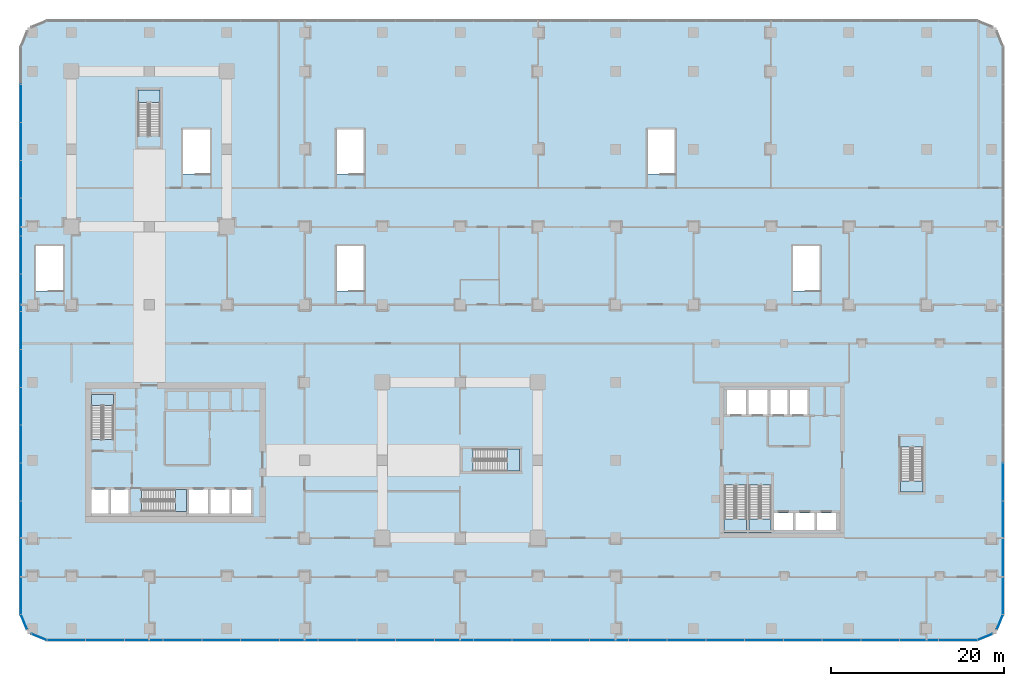
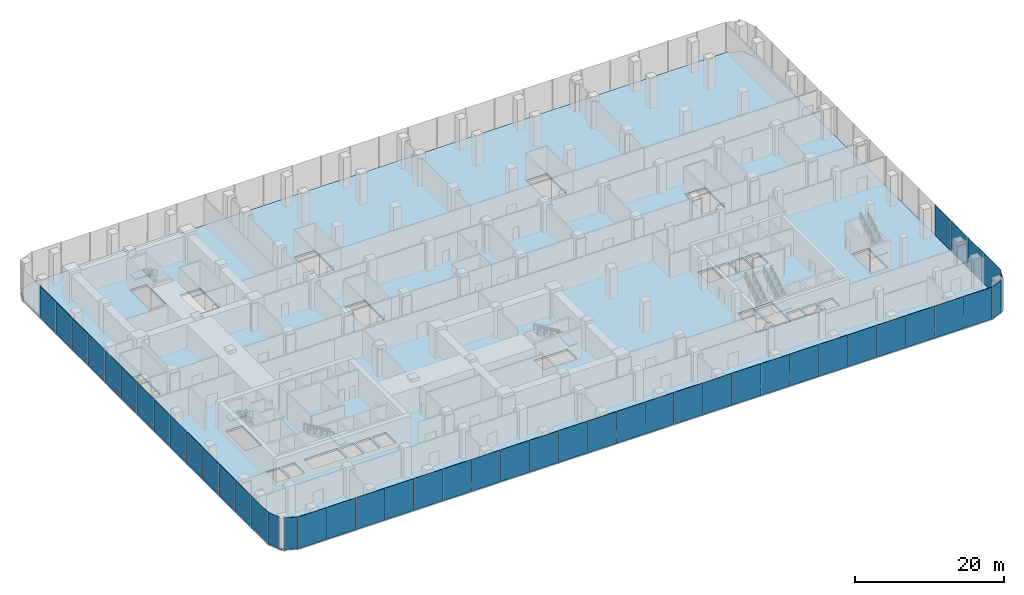
# One storey, part 21 of 36: 46 plates, 8 slabs, 14 elements without a shape of their own.
"""IFC4 building model written with IfcOpenShell, lengths in metres."""

from ifc_helpers import new_model, si_unit, direction, frame, origin, origin_2d, place, context, subcontext, project, spatial, polyline, rectangle, outline, extrude, material, layer, layer_set, type_object, element, aggregate, save


model = new_model("IFC4")

# Units and contexts
model_context = context("Model", 3, precision=1e-05, world=origin(), true_north=direction((0.0, 1.0)))
body_context = subcontext(model_context, "Body", "Model", "MODEL_VIEW")
ifc_project = project(units=[si_unit("LENGTHUNIT", "METRE"), si_unit("AREAUNIT", "SQUARE_METRE"), si_unit("VOLUMEUNIT", "CUBIC_METRE"), si_unit("PLANEANGLEUNIT", "RADIAN"), si_unit("MASSUNIT", "GRAM", prefix="KILO")], contexts=[model_context])

# Site, building, storey
site_placement = place(None, origin())
site = spatial("IfcSite", under=ifc_project, at=site_placement, CompositionType="ELEMENT")
building_placement = place(site_placement, origin())
building = spatial("IfcBuilding", under=site, at=building_placement, Name="Plateau Cross Towers", CompositionType="ELEMENT")
storey_placement = place(building_placement, frame((0.0, 0.0, 21.800048828125)))
storey = spatial("IfcBuildingStorey", under=building, at=storey_placement, Name="L04", CompositionType="ELEMENT", Elevation=21.800048828125)

# Curtain wall, plates
ifc_material_1 = material(Name="Dark low-iron laminated glass", Category="glass")
ifc_layer_1 = layer(ifc_material_1, 0.300048828125)
ifc_layer_set_1 = layer_set([ifc_layer_1], Name="Dark low-iron laminated glass")
curtain_wall_type = type_object("IfcCurtainWallType", Name="Curtain wall structural silicone CW-C", PredefinedType="NOTDEFINED", material=ifc_layer_set_1)
curtain_wall_1_placement = place(storey_placement, origin())
curtain_wall_1 = element("IfcCurtainWall", 1, at=curtain_wall_1_placement, inside=storey, type_object=curtain_wall_type, Name="ENV/P/L04/P-28_-118", PredefinedType="NOTDEFINED")
ifc_layer_2 = layer(ifc_material_1, 0.0439453125)
ifc_layer_set_2 = layer_set([ifc_layer_2], Name="Dark low-iron laminated glass")
plate_type = type_object("IfcPlateType", Name="Glass panel 44 structural silicone", PredefinedType="CURTAIN_PANEL", material=ifc_layer_set_2)
plate_1_placement = place(storey_placement, frame((-0.606201171875, -11.85009765625, -0.2001953125), z_axis=(0.0, 0.0, 1.0), x_axis=(1.0, 0.0, 0.0)))
plate_1 = element("IfcPlate", 2, at=plate_1_placement, type_object=plate_type, Name="CW-C panel 1", PredefinedType="CURTAIN_PANEL", context=body_context, shape_type="SweptSolid", body=[
    extrude(rectangle(XDim=4.4375, YDim=0.0439453125, at=origin_2d()), origin(), (0.0, 0.0, 1.0), 5.199951171875),
])
plate_2_placement = place(storey_placement, frame((3.88134765625, -11.85009765625, -0.2001953125), z_axis=(0.0, 0.0, 1.0), x_axis=(1.0, 0.0, 0.0)))
plate_2 = element("IfcPlate", 3, at=plate_2_placement, type_object=plate_type, Name="CW-C panel 2", PredefinedType="CURTAIN_PANEL", context=body_context, shape_type="SweptSolid", body=[
    extrude(rectangle(XDim=4.4375, YDim=0.0439453125, at=origin_2d()), origin(), (0.0, 0.0, 1.0), 5.199951171875),
])
plate_3_placement = place(storey_placement, frame((8.36865234375, -11.85009765625, -0.2001953125), z_axis=(0.0, 0.0, 1.0), x_axis=(1.0, 0.0, 0.0)))
plate_3 = element("IfcPlate", 4, at=plate_3_placement, type_object=plate_type, Name="CW-C panel 3", PredefinedType="CURTAIN_PANEL", context=body_context, shape_type="SweptSolid", body=[
    extrude(rectangle(XDim=4.4375, YDim=0.0439453125, at=origin_2d()), origin(), (0.0, 0.0, 1.0), 5.199951171875),
])
plate_4_placement = place(storey_placement, frame((12.856201171875, -11.85009765625, -0.2001953125), z_axis=(0.0, 0.0, 1.0), x_axis=(1.0, 0.0, 0.0)))
plate_4 = element("IfcPlate", 5, at=plate_4_placement, type_object=plate_type, Name="CW-C panel 4", PredefinedType="CURTAIN_PANEL", context=body_context, shape_type="SweptSolid", body=[
    extrude(rectangle(XDim=4.4375, YDim=0.0439453125, at=origin_2d()), origin(), (0.0, 0.0, 1.0), 5.199951171875),
])
plate_5_placement = place(storey_placement, frame((17.34375, -11.85009765625, -0.2001953125), z_axis=(0.0, 0.0, 1.0), x_axis=(1.0, 0.0, 0.0)))
plate_5 = element("IfcPlate", 6, at=plate_5_placement, type_object=plate_type, Name="CW-C panel 5", PredefinedType="CURTAIN_PANEL", context=body_context, shape_type="SweptSolid", body=[
    extrude(rectangle(XDim=4.4375, YDim=0.0439453125, at=origin_2d()), origin(), (0.0, 0.0, 1.0), 5.199951171875),
])
plate_6_placement = place(storey_placement, frame((21.831298828125, -11.85009765625, -0.2001953125), z_axis=(0.0, 0.0, 1.0), x_axis=(1.0, 0.0, 0.0)))
plate_6 = element("IfcPlate", 7, at=plate_6_placement, type_object=plate_type, Name="CW-C panel 6", PredefinedType="CURTAIN_PANEL", context=body_context, shape_type="SweptSolid", body=[
    extrude(rectangle(XDim=4.4375, YDim=0.0439453125, at=origin_2d()), origin(), (0.0, 0.0, 1.0), 5.199951171875),
])
plate_7_placement = place(storey_placement, frame((26.31884765625, -11.85009765625, -0.2001953125), z_axis=(0.0, 0.0, 1.0), x_axis=(1.0, 0.0, 0.0)))
plate_7 = element("IfcPlate", 8, at=plate_7_placement, type_object=plate_type, Name="CW-C panel 7", PredefinedType="CURTAIN_PANEL", context=body_context, shape_type="SweptSolid", body=[
    extrude(rectangle(XDim=4.4375, YDim=0.0439453125, at=origin_2d()), origin(), (0.0, 0.0, 1.0), 5.199951171875),
])
plate_8_placement = place(storey_placement, frame((30.80615234375, -11.85009765625, -0.2001953125), z_axis=(0.0, 0.0, 1.0), x_axis=(1.0, 0.0, 0.0)))
plate_8 = element("IfcPlate", 9, at=plate_8_placement, type_object=plate_type, Name="CW-C panel 8", PredefinedType="CURTAIN_PANEL", context=body_context, shape_type="SweptSolid", body=[
    extrude(rectangle(XDim=4.4375, YDim=0.0439453125, at=origin_2d()), origin(), (0.0, 0.0, 1.0), 5.199951171875),
])
plate_9_placement = place(storey_placement, frame((35.293701171875, -11.85009765625, -0.2001953125), z_axis=(0.0, 0.0, 1.0), x_axis=(1.0, 0.0, 0.0)))
plate_9 = element("IfcPlate", 10, at=plate_9_placement, type_object=plate_type, Name="CW-C panel 9", PredefinedType="CURTAIN_PANEL", context=body_context, shape_type="SweptSolid", body=[
    extrude(rectangle(XDim=4.4375, YDim=0.0439453125, at=origin_2d()), origin(), (0.0, 0.0, 1.0), 5.199951171875),
])
plate_10_placement = place(storey_placement, frame((39.78125, -11.85009765625, -0.2001953125), z_axis=(0.0, 0.0, 1.0), x_axis=(1.0, 0.0, 0.0)))
plate_10 = element("IfcPlate", 11, at=plate_10_placement, type_object=plate_type, Name="CW-C panel 10", PredefinedType="CURTAIN_PANEL", context=body_context, shape_type="SweptSolid", body=[
    extrude(rectangle(XDim=4.4375, YDim=0.0439453125, at=origin_2d()), origin(), (0.0, 0.0, 1.0), 5.199951171875),
])
plate_11_placement = place(storey_placement, frame((44.268798828125, -11.85009765625, -0.2001953125), z_axis=(0.0, 0.0, 1.0), x_axis=(1.0, 0.0, 0.0)))
plate_11 = element("IfcPlate", 12, at=plate_11_placement, type_object=plate_type, Name="CW-C panel 11", PredefinedType="CURTAIN_PANEL", context=body_context, shape_type="SweptSolid", body=[
    extrude(rectangle(XDim=4.4375, YDim=0.0439453125, at=origin_2d()), origin(), (0.0, 0.0, 1.0), 5.199951171875),
])
plate_12_placement = place(storey_placement, frame((48.75634765625, -11.85009765625, -0.2001953125), z_axis=(0.0, 0.0, 1.0), x_axis=(1.0, 0.0, 0.0)))
plate_12 = element("IfcPlate", 13, at=plate_12_placement, type_object=plate_type, Name="CW-C panel 12", PredefinedType="CURTAIN_PANEL", context=body_context, shape_type="SweptSolid", body=[
    extrude(rectangle(XDim=4.4375, YDim=0.0439453125, at=origin_2d()), origin(), (0.0, 0.0, 1.0), 5.199951171875),
])
plate_13_placement = place(storey_placement, frame((53.24365234375, -11.85009765625, -0.2001953125), z_axis=(0.0, 0.0, 1.0), x_axis=(1.0, 0.0, 0.0)))
plate_13 = element("IfcPlate", 14, at=plate_13_placement, type_object=plate_type, Name="CW-C panel 13", PredefinedType="CURTAIN_PANEL", context=body_context, shape_type="SweptSolid", body=[
    extrude(rectangle(XDim=4.4375, YDim=0.0439453125, at=origin_2d()), origin(), (0.0, 0.0, 1.0), 5.199951171875),
])
plate_14_placement = place(storey_placement, frame((57.731201171875, -11.85009765625, -0.2001953125), z_axis=(0.0, 0.0, 1.0), x_axis=(1.0, 0.0, 0.0)))
plate_14 = element("IfcPlate", 15, at=plate_14_placement, type_object=plate_type, Name="CW-C panel 14", PredefinedType="CURTAIN_PANEL", context=body_context, shape_type="SweptSolid", body=[
    extrude(rectangle(XDim=4.4375, YDim=0.0439453125, at=origin_2d()), origin(), (0.0, 0.0, 1.0), 5.199951171875),
])
plate_15_placement = place(storey_placement, frame((62.21875, -11.85009765625, -0.2001953125), z_axis=(0.0, 0.0, 1.0), x_axis=(1.0, 0.0, 0.0)))
plate_15 = element("IfcPlate", 16, at=plate_15_placement, type_object=plate_type, Name="CW-C panel 15", PredefinedType="CURTAIN_PANEL", context=body_context, shape_type="SweptSolid", body=[
    extrude(rectangle(XDim=4.4375, YDim=0.0439453125, at=origin_2d()), origin(), (0.0, 0.0, 1.0), 5.199951171875),
])
plate_16_placement = place(storey_placement, frame((66.706298828125, -11.85009765625, -0.2001953125), z_axis=(0.0, 0.0, 1.0), x_axis=(1.0, 0.0, 0.0)))
plate_16 = element("IfcPlate", 17, at=plate_16_placement, type_object=plate_type, Name="CW-C panel 16", PredefinedType="CURTAIN_PANEL", context=body_context, shape_type="SweptSolid", body=[
    extrude(rectangle(XDim=4.4375, YDim=0.0439453125, at=origin_2d()), origin(), (0.0, 0.0, 1.0), 5.199951171875),
])
plate_17_placement = place(storey_placement, frame((71.19384765625, -11.85009765625, -0.2001953125), z_axis=(0.0, 0.0, 1.0), x_axis=(1.0, 0.0, 0.0)))
plate_17 = element("IfcPlate", 18, at=plate_17_placement, type_object=plate_type, Name="CW-C panel 17", PredefinedType="CURTAIN_PANEL", context=body_context, shape_type="SweptSolid", body=[
    extrude(rectangle(XDim=4.4375, YDim=0.0439453125, at=origin_2d()), origin(), (0.0, 0.0, 1.0), 5.199951171875),
])
plate_18_placement = place(storey_placement, frame((75.68115234375, -11.85009765625, -0.2001953125), z_axis=(0.0, 0.0, 1.0), x_axis=(1.0, 0.0, 0.0)))
plate_18 = element("IfcPlate", 19, at=plate_18_placement, type_object=plate_type, Name="CW-C panel 18", PredefinedType="CURTAIN_PANEL", context=body_context, shape_type="SweptSolid", body=[
    extrude(rectangle(XDim=4.4375, YDim=0.0439453125, at=origin_2d()), origin(), (0.0, 0.0, 1.0), 5.199951171875),
])
plate_19_placement = place(storey_placement, frame((80.168701171875, -11.85009765625, -0.2001953125), z_axis=(0.0, 0.0, 1.0), x_axis=(1.0, 0.0, 0.0)))
plate_19 = element("IfcPlate", 20, at=plate_19_placement, type_object=plate_type, Name="CW-C panel 19", PredefinedType="CURTAIN_PANEL", context=body_context, shape_type="SweptSolid", body=[
    extrude(rectangle(XDim=4.4375, YDim=0.0439453125, at=origin_2d()), origin(), (0.0, 0.0, 1.0), 5.199951171875),
])
plate_20_placement = place(storey_placement, frame((84.65625, -11.85009765625, -0.2001953125), z_axis=(0.0, 0.0, 1.0), x_axis=(1.0, 0.0, 0.0)))
plate_20 = element("IfcPlate", 21, at=plate_20_placement, type_object=plate_type, Name="CW-C panel 20", PredefinedType="CURTAIN_PANEL", context=body_context, shape_type="SweptSolid", body=[
    extrude(rectangle(XDim=4.4375, YDim=0.0439453125, at=origin_2d()), origin(), (0.0, 0.0, 1.0), 5.199951171875),
])
plate_21_placement = place(storey_placement, frame((89.143798828125, -11.85009765625, -0.2001953125), z_axis=(0.0, 0.0, 1.0), x_axis=(1.0, 0.0, 0.0)))
plate_21 = element("IfcPlate", 22, at=plate_21_placement, type_object=plate_type, Name="CW-C panel 21", PredefinedType="CURTAIN_PANEL", context=body_context, shape_type="SweptSolid", body=[
    extrude(rectangle(XDim=4.4375, YDim=0.0439453125, at=origin_2d()), origin(), (0.0, 0.0, 1.0), 5.199951171875),
])
plate_22_placement = place(storey_placement, frame((93.63134765625, -11.85009765625, -0.2001953125), z_axis=(0.0, 0.0, 1.0), x_axis=(1.0, 0.0, 0.0)))
plate_22 = element("IfcPlate", 23, at=plate_22_placement, type_object=plate_type, Name="CW-C panel 22", PredefinedType="CURTAIN_PANEL", context=body_context, shape_type="SweptSolid", body=[
    extrude(rectangle(XDim=4.4375, YDim=0.0439453125, at=origin_2d()), origin(), (0.0, 0.0, 1.0), 5.199951171875),
])
plate_23_placement = place(storey_placement, frame((98.11865234375, -11.85009765625, -0.2001953125), z_axis=(0.0, 0.0, 1.0), x_axis=(1.0, 0.0, 0.0)))
plate_23 = element("IfcPlate", 24, at=plate_23_placement, type_object=plate_type, Name="CW-C panel 23", PredefinedType="CURTAIN_PANEL", context=body_context, shape_type="SweptSolid", body=[
    extrude(rectangle(XDim=4.4375, YDim=0.0439453125, at=origin_2d()), origin(), (0.0, 0.0, 1.0), 5.199951171875),
])
plate_24_placement = place(storey_placement, frame((102.606201171875, -11.85009765625, -0.2001953125), z_axis=(0.0, 0.0, 1.0), x_axis=(1.0, 0.0, 0.0)))
plate_24 = element("IfcPlate", 25, at=plate_24_placement, type_object=plate_type, Name="CW-C panel 24", PredefinedType="CURTAIN_PANEL", context=body_context, shape_type="SweptSolid", body=[
    extrude(rectangle(XDim=4.4375, YDim=0.0439453125, at=origin_2d()), origin(), (0.0, 0.0, 1.0), 5.199951171875),
])
aggregate(curtain_wall_1, [plate_1, plate_2, plate_3, plate_4, plate_5, plate_6, plate_7, plate_8, plate_9, plate_10, plate_11, plate_12, plate_13, plate_14, plate_15, plate_16, plate_17, plate_18, plate_19, plate_20, plate_21, plate_22, plate_23, plate_24])

# Curtain wall, plate
curtain_wall_2_placement = place(storey_placement, origin())
curtain_wall_2 = element("IfcCurtainWall", 26, at=curtain_wall_2_placement, inside=storey, type_object=curtain_wall_type, Name="ENV/P/L04/P1048_-118", PredefinedType="NOTDEFINED")
plate_25_placement = place(storey_placement, frame((105.731201171875, -11.485107421875, -0.2001953125), z_axis=(0.0, 0.0, 1.0), x_axis=(0.923879457699, 0.382683612978, 0.0)))
plate_25 = element("IfcPlate", 27, at=plate_25_placement, type_object=plate_type, Name="CW-C panel 1", PredefinedType="CURTAIN_PANEL", context=body_context, shape_type="SweptSolid", body=[
    extrude(rectangle(XDim=1.857666015625, YDim=0.0439453125, at=origin_2d()), origin(), (0.0, 0.0, 1.0), 5.199951171875),
])
aggregate(curtain_wall_2, [plate_25])

curtain_wall_3_placement = place(storey_placement, origin())
curtain_wall_3 = element("IfcCurtainWall", 28, at=curtain_wall_3_placement, inside=storey, type_object=curtain_wall_type, Name="ENV/P/L04/P1071_-106", PredefinedType="NOTDEFINED")
plate_26_placement = place(storey_placement, frame((107.485107421875, -9.731201171875, -0.2001953125), z_axis=(0.0, 0.0, 1.0), x_axis=(0.382683612978, 0.923879457699, 0.0)))
plate_26 = element("IfcPlate", 29, at=plate_26_placement, type_object=plate_type, Name="CW-C panel 1", PredefinedType="CURTAIN_PANEL", context=body_context, shape_type="SweptSolid", body=[
    extrude(rectangle(XDim=1.857666015625, YDim=0.0439453125, at=origin_2d()), origin(), (0.0, 0.0, 1.0), 5.199951171875),
])
aggregate(curtain_wall_3, [plate_26])

# Curtain wall, plates
curtain_wall_4_placement = place(storey_placement, origin())
curtain_wall_4 = element("IfcCurtainWall", 30, at=curtain_wall_4_placement, inside=storey, type_object=curtain_wall_type, Name="ENV/P/L04/P1078_-88", PredefinedType="NOTDEFINED")
plate_27_placement = place(storey_placement, frame((107.85009765625, -6.659912109375, -0.2001953125), z_axis=(0.0, 0.0, 1.0), x_axis=(0.0, 1.0, 0.0)))
plate_27 = element("IfcPlate", 31, at=plate_27_placement, type_object=plate_type, Name="CW-C panel 1", PredefinedType="CURTAIN_PANEL", context=body_context, shape_type="SweptSolid", body=[
    extrude(rectangle(XDim=4.330078125, YDim=0.0439453125, at=origin_2d()), origin(), (0.0, 0.0, 1.0), 5.199951171875),
])
plate_28_placement = place(storey_placement, frame((107.85009765625, -2.280029296875, -0.2001953125), z_axis=(0.0, 0.0, 1.0), x_axis=(0.0, 1.0, 0.0)))
plate_28 = element("IfcPlate", 32, at=plate_28_placement, type_object=plate_type, Name="CW-C panel 2", PredefinedType="CURTAIN_PANEL", context=body_context, shape_type="SweptSolid", body=[
    extrude(rectangle(XDim=4.330078125, YDim=0.0439453125, at=origin_2d()), origin(), (0.0, 0.0, 1.0), 5.199951171875),
])
plate_29_placement = place(storey_placement, frame((107.85009765625, 2.10009765625, -0.2001953125), z_axis=(0.0, 0.0, 1.0), x_axis=(0.0, 1.0, 0.0)))
plate_29 = element("IfcPlate", 33, at=plate_29_placement, type_object=plate_type, Name="CW-C panel 3", PredefinedType="CURTAIN_PANEL", context=body_context, shape_type="SweptSolid", body=[
    extrude(rectangle(XDim=4.330078125, YDim=0.0439453125, at=origin_2d()), origin(), (0.0, 0.0, 1.0), 5.199951171875),
])
plate_30_placement = place(storey_placement, frame((107.85009765625, 6.47998046875, -0.2001953125), z_axis=(0.0, 0.0, 1.0), x_axis=(0.0, 1.0, 0.0)))
plate_30 = element("IfcPlate", 34, at=plate_30_placement, type_object=plate_type, Name="CW-C panel 4", PredefinedType="CURTAIN_PANEL", context=body_context, shape_type="SweptSolid", body=[
    extrude(rectangle(XDim=4.330078125, YDim=0.0439453125, at=origin_2d()), origin(), (0.0, 0.0, 1.0), 5.199951171875),
])
aggregate(curtain_wall_4, [plate_27, plate_28, plate_29, plate_30])

curtain_wall_5_placement = place(storey_placement, origin())
curtain_wall_5 = element("IfcCurtainWall", 35, at=curtain_wall_5_placement, inside=storey, type_object=curtain_wall_type, Name="ENV/P/L04/P-58_568", PredefinedType="NOTDEFINED")
plate_31_placement = place(storey_placement, frame((-5.85009765625, 50.280029296875, -0.2001953125), z_axis=(0.0, 0.0, 1.0), x_axis=(0.0, -1.0, 0.0)))
plate_31 = element("IfcPlate", 36, at=plate_31_placement, type_object=plate_type, Name="CW-C panel 2", PredefinedType="CURTAIN_PANEL", context=body_context, shape_type="SweptSolid", body=[
    extrude(rectangle(XDim=4.330078125, YDim=0.0439453125, at=origin_2d()), origin(), (0.0, 0.0, 1.0), 5.199951171875),
])
plate_32_placement = place(storey_placement, frame((-5.85009765625, 45.89990234375, -0.2001953125), z_axis=(0.0, 0.0, 1.0), x_axis=(0.0, -1.0, 0.0)))
plate_32 = element("IfcPlate", 37, at=plate_32_placement, type_object=plate_type, Name="CW-C panel 3", PredefinedType="CURTAIN_PANEL", context=body_context, shape_type="SweptSolid", body=[
    extrude(rectangle(XDim=4.330078125, YDim=0.0439453125, at=origin_2d()), origin(), (0.0, 0.0, 1.0), 5.199951171875),
])
plate_33_placement = place(storey_placement, frame((-5.85009765625, 41.52001953125, -0.2001953125), z_axis=(0.0, 0.0, 1.0), x_axis=(0.0, -1.0, 0.0)))
plate_33 = element("IfcPlate", 38, at=plate_33_placement, type_object=plate_type, Name="CW-C panel 4", PredefinedType="CURTAIN_PANEL", context=body_context, shape_type="SweptSolid", body=[
    extrude(rectangle(XDim=4.330078125, YDim=0.0439453125, at=origin_2d()), origin(), (0.0, 0.0, 1.0), 5.199951171875),
])
plate_34_placement = place(storey_placement, frame((-5.85009765625, 37.139892578125, -0.2001953125), z_axis=(0.0, 0.0, 1.0), x_axis=(0.0, -1.0, 0.0)))
plate_34 = element("IfcPlate", 39, at=plate_34_placement, type_object=plate_type, Name="CW-C panel 5", PredefinedType="CURTAIN_PANEL", context=body_context, shape_type="SweptSolid", body=[
    extrude(rectangle(XDim=4.330078125, YDim=0.0439453125, at=origin_2d()), origin(), (0.0, 0.0, 1.0), 5.199951171875),
])
plate_35_placement = place(storey_placement, frame((-5.85009765625, 32.760009765625, -0.2001953125), z_axis=(0.0, 0.0, 1.0), x_axis=(0.0, -1.0, 0.0)))
plate_35 = element("IfcPlate", 40, at=plate_35_placement, type_object=plate_type, Name="CW-C panel 6", PredefinedType="CURTAIN_PANEL", context=body_context, shape_type="SweptSolid", body=[
    extrude(rectangle(XDim=4.330078125, YDim=0.0439453125, at=origin_2d()), origin(), (0.0, 0.0, 1.0), 5.199951171875),
])
plate_36_placement = place(storey_placement, frame((-5.85009765625, 28.3798828125, -0.2001953125), z_axis=(0.0, 0.0, 1.0), x_axis=(0.0, -1.0, 0.0)))
plate_36 = element("IfcPlate", 41, at=plate_36_placement, type_object=plate_type, Name="CW-C panel 7", PredefinedType="CURTAIN_PANEL", context=body_context, shape_type="SweptSolid", body=[
    extrude(rectangle(XDim=4.330078125, YDim=0.0439453125, at=origin_2d()), origin(), (0.0, 0.0, 1.0), 5.199951171875),
])
plate_37_placement = place(storey_placement, frame((-5.85009765625, 24.0, -0.2001953125), z_axis=(0.0, 0.0, 1.0), x_axis=(0.0, -1.0, 0.0)))
plate_37 = element("IfcPlate", 42, at=plate_37_placement, type_object=plate_type, Name="CW-C panel 8", PredefinedType="CURTAIN_PANEL", context=body_context, shape_type="SweptSolid", body=[
    extrude(rectangle(XDim=4.330078125, YDim=0.0439453125, at=origin_2d()), origin(), (0.0, 0.0, 1.0), 5.199951171875),
])
plate_38_placement = place(storey_placement, frame((-5.85009765625, 19.6201171875, -0.2001953125), z_axis=(0.0, 0.0, 1.0), x_axis=(0.0, -1.0, 0.0)))
plate_38 = element("IfcPlate", 43, at=plate_38_placement, type_object=plate_type, Name="CW-C panel 9", PredefinedType="CURTAIN_PANEL", context=body_context, shape_type="SweptSolid", body=[
    extrude(rectangle(XDim=4.330078125, YDim=0.0439453125, at=origin_2d()), origin(), (0.0, 0.0, 1.0), 5.199951171875),
])
plate_39_placement = place(storey_placement, frame((-5.85009765625, 15.239990234375, -0.2001953125), z_axis=(0.0, 0.0, 1.0), x_axis=(0.0, -1.0, 0.0)))
plate_39 = element("IfcPlate", 44, at=plate_39_placement, type_object=plate_type, Name="CW-C panel 10", PredefinedType="CURTAIN_PANEL", context=body_context, shape_type="SweptSolid", body=[
    extrude(rectangle(XDim=4.330078125, YDim=0.0439453125, at=origin_2d()), origin(), (0.0, 0.0, 1.0), 5.199951171875),
])
plate_40_placement = place(storey_placement, frame((-5.85009765625, 10.860107421875, -0.2001953125), z_axis=(0.0, 0.0, 1.0), x_axis=(0.0, -1.0, 0.0)))
plate_40 = element("IfcPlate", 45, at=plate_40_placement, type_object=plate_type, Name="CW-C panel 11", PredefinedType="CURTAIN_PANEL", context=body_context, shape_type="SweptSolid", body=[
    extrude(rectangle(XDim=4.330078125, YDim=0.0439453125, at=origin_2d()), origin(), (0.0, 0.0, 1.0), 5.199951171875),
])
plate_41_placement = place(storey_placement, frame((-5.85009765625, 6.47998046875, -0.2001953125), z_axis=(0.0, 0.0, 1.0), x_axis=(0.0, -1.0, 0.0)))
plate_41 = element("IfcPlate", 46, at=plate_41_placement, type_object=plate_type, Name="CW-C panel 12", PredefinedType="CURTAIN_PANEL", context=body_context, shape_type="SweptSolid", body=[
    extrude(rectangle(XDim=4.330078125, YDim=0.0439453125, at=origin_2d()), origin(), (0.0, 0.0, 1.0), 5.199951171875),
])
plate_42_placement = place(storey_placement, frame((-5.85009765625, 2.10009765625, -0.2001953125), z_axis=(0.0, 0.0, 1.0), x_axis=(0.0, -1.0, 0.0)))
plate_42 = element("IfcPlate", 47, at=plate_42_placement, type_object=plate_type, Name="CW-C panel 13", PredefinedType="CURTAIN_PANEL", context=body_context, shape_type="SweptSolid", body=[
    extrude(rectangle(XDim=4.330078125, YDim=0.0439453125, at=origin_2d()), origin(), (0.0, 0.0, 1.0), 5.199951171875),
])
plate_43_placement = place(storey_placement, frame((-5.85009765625, -2.280029296875, -0.2001953125), z_axis=(0.0, 0.0, 1.0), x_axis=(0.0, -1.0, 0.0)))
plate_43 = element("IfcPlate", 48, at=plate_43_placement, type_object=plate_type, Name="CW-C panel 14", PredefinedType="CURTAIN_PANEL", context=body_context, shape_type="SweptSolid", body=[
    extrude(rectangle(XDim=4.330078125, YDim=0.0439453125, at=origin_2d()), origin(), (0.0, 0.0, 1.0), 5.199951171875),
])
plate_44_placement = place(storey_placement, frame((-5.85009765625, -6.659912109375, -0.2001953125), z_axis=(0.0, 0.0, 1.0), x_axis=(0.0, -1.0, 0.0)))
plate_44 = element("IfcPlate", 49, at=plate_44_placement, type_object=plate_type, Name="CW-C panel 15", PredefinedType="CURTAIN_PANEL", context=body_context, shape_type="SweptSolid", body=[
    extrude(rectangle(XDim=4.330078125, YDim=0.0439453125, at=origin_2d()), origin(), (0.0, 0.0, 1.0), 5.199951171875),
])
aggregate(curtain_wall_5, [plate_31, plate_32, plate_33, plate_34, plate_35, plate_36, plate_37, plate_38, plate_39, plate_40, plate_41, plate_42, plate_43, plate_44])

# Curtain wall, plate
curtain_wall_6_placement = place(storey_placement, origin())
curtain_wall_6 = element("IfcCurtainWall", 50, at=curtain_wall_6_placement, inside=storey, type_object=curtain_wall_type, Name="ENV/P/L04/P-58_-88", PredefinedType="NOTDEFINED")
plate_45_placement = place(storey_placement, frame((-5.485107421875, -9.731201171875, -0.2001953125), z_axis=(0.0, 0.0, 1.0), x_axis=(0.382683612978, -0.923879457699, 0.0)))
plate_45 = element("IfcPlate", 51, at=plate_45_placement, type_object=plate_type, Name="CW-C panel 1", PredefinedType="CURTAIN_PANEL", context=body_context, shape_type="SweptSolid", body=[
    extrude(rectangle(XDim=1.857666015625, YDim=0.0439453125, at=origin_2d()), origin(), (0.0, 0.0, 1.0), 5.199951171875),
])
aggregate(curtain_wall_6, [plate_45])

curtain_wall_7_placement = place(storey_placement, origin())
curtain_wall_7 = element("IfcCurtainWall", 52, at=curtain_wall_7_placement, inside=storey, type_object=curtain_wall_type, Name="ENV/P/L04/P-46_-111", PredefinedType="NOTDEFINED")
plate_46_placement = place(storey_placement, frame((-3.731201171875, -11.485107421875, -0.2001953125), z_axis=(0.0, 0.0, 1.0), x_axis=(0.923879457699, -0.382683612978, 0.0)))
plate_46 = element("IfcPlate", 53, at=plate_46_placement, type_object=plate_type, Name="CW-C panel 1", PredefinedType="CURTAIN_PANEL", context=body_context, shape_type="SweptSolid", body=[
    extrude(rectangle(XDim=1.857666015625, YDim=0.0439453125, at=origin_2d()), origin(), (0.0, 0.0, 1.0), 5.199951171875),
])
aggregate(curtain_wall_7, [plate_46])

# Slab
ifc_material_2 = material(Name="Concrete C40/50", Category="concrete")
ifc_layer_3 = layer(ifc_material_2, 0.35009765625)
ifc_layer_set_3 = layer_set([ifc_layer_3], Name="Concrete C40/50")
slab_type_1 = type_object("IfcSlabType", Name="Post-tensioned flat plate slab 350", PredefinedType="FLOOR", material=ifc_layer_set_3)
slab_1_placement = place(storey_placement, frame((0.0, 0.0, -0.35009765625)))
element("IfcSlab", 54, at=slab_1_placement, inside=storey, type_object=slab_type_1, Name="SL-P-L04", PredefinedType="FLOOR", context=body_context, shape_type="SweptSolid", body=[
    extrude(outline(polyline([(-4.971435546875, -10.971435546875), (-5.85009765625, -8.85009765625), (-5.85009765625, 56.85009765625), (-4.971435546875, 58.971435546875), (-2.85009765625, 59.85009765625), (104.85009765625, 59.85009765625), (106.971435546875, 58.971435546875), (107.85009765625, 56.85009765625), (107.85009765625, -8.85009765625), (106.971435546875, -10.971435546875), (104.85009765625, -11.85009765625), (-2.85009765625, -11.85009765625), (-4.971435546875, -10.971435546875)]), holes=[polyline([(4.300048828125, 2.800048828125), (4.300048828125, 5.60009765625), (2.300048828125, 5.60009765625), (2.300048828125, 2.800048828125), (4.300048828125, 2.800048828125)]), polyline([(4.60009765625, 2.800048828125), (6.60009765625, 2.800048828125), (6.60009765625, 5.60009765625), (4.60009765625, 5.60009765625), (4.60009765625, 2.800048828125)]), polyline([(13.60009765625, 2.800048828125), (15.800048828125, 2.800048828125), (15.800048828125, 5.60009765625), (13.60009765625, 5.60009765625), (13.60009765625, 2.800048828125)]), polyline([(18.300048828125, 2.800048828125), (18.300048828125, 5.60009765625), (16.10009765625, 5.60009765625), (16.10009765625, 2.800048828125), (18.300048828125, 2.800048828125)]), polyline([(18.60009765625, 2.800048828125), (20.800048828125, 2.800048828125), (20.800048828125, 5.60009765625), (18.60009765625, 5.60009765625), (18.60009765625, 2.800048828125)]), polyline([(8.10009765625, 3.050048828125), (13.300048828125, 3.050048828125), (13.300048828125, 5.60009765625), (8.10009765625, 5.60009765625), (8.10009765625, 3.050048828125)]), polyline([(51.699951171875, 7.72509765625), (51.699951171875, 10.27490234375), (46.5, 10.27490234375), (46.5, 7.72509765625), (51.699951171875, 7.72509765625)]), polyline([(4.85009765625, 11.39990234375), (4.85009765625, 16.60009765625), (2.300048828125, 16.60009765625), (2.300048828125, 11.39990234375), (4.85009765625, 11.39990234375)]), polyline([(-0.949951171875, 28.60009765625), (-0.949951171875, 33.800048828125), (-4.10009765625, 33.800048828125), (-4.10009765625, 28.60009765625), (-0.949951171875, 28.60009765625)]), polyline([(33.85009765625, 33.800048828125), (30.699951171875, 33.800048828125), (30.699951171875, 28.60009765625), (33.85009765625, 28.60009765625), (33.85009765625, 33.800048828125)]), polyline([(16.050048828125, 42.10009765625), (16.050048828125, 47.300048828125), (12.89990234375, 47.300048828125), (12.89990234375, 42.10009765625), (16.050048828125, 42.10009765625)]), polyline([(33.85009765625, 42.10009765625), (33.85009765625, 47.300048828125), (30.699951171875, 47.300048828125), (30.699951171875, 42.10009765625), (33.85009765625, 42.10009765625)]), polyline([(10.27490234375, 51.699951171875), (7.72509765625, 51.699951171875), (7.72509765625, 46.5), (10.27490234375, 46.5), (10.27490234375, 51.699951171875)]), polyline([(81.300048828125, 0.89990234375), (83.5, 0.89990234375), (83.5, 2.89990234375), (81.300048828125, 2.89990234375), (81.300048828125, 0.89990234375)]), polyline([(83.800048828125, 0.89990234375), (86.0, 0.89990234375), (86.0, 2.89990234375), (83.800048828125, 2.89990234375), (83.800048828125, 0.89990234375)]), polyline([(88.5, 0.89990234375), (88.5, 2.89990234375), (86.300048828125, 2.89990234375), (86.300048828125, 0.89990234375), (88.5, 0.89990234375)]), polyline([(75.60009765625, 6.10009765625), (75.60009765625, 0.89990234375), (78.14990234375, 0.89990234375), (78.14990234375, 6.10009765625), (75.60009765625, 6.10009765625)]), polyline([(78.449951171875, 6.10009765625), (78.449951171875, 0.89990234375), (81.0, 0.89990234375), (81.0, 6.10009765625), (78.449951171875, 6.10009765625)]), polyline([(96.0, 5.300048828125), (98.550048828125, 5.300048828125), (98.550048828125, 10.5), (96.0, 10.5), (96.0, 5.300048828125)]), polyline([(75.89990234375, 14.300048828125), (78.10009765625, 14.300048828125), (78.10009765625, 17.10009765625), (75.89990234375, 17.10009765625), (75.89990234375, 14.300048828125)]), polyline([(78.39990234375, 14.300048828125), (80.60009765625, 14.300048828125), (80.60009765625, 17.10009765625), (78.39990234375, 17.10009765625), (78.39990234375, 14.300048828125)]), polyline([(80.89990234375, 14.300048828125), (82.89990234375, 14.300048828125), (82.89990234375, 17.10009765625), (80.89990234375, 17.10009765625), (80.89990234375, 14.300048828125)]), polyline([(83.199951171875, 14.300048828125), (85.199951171875, 14.300048828125), (85.199951171875, 17.10009765625), (83.199951171875, 17.10009765625), (83.199951171875, 14.300048828125)]), polyline([(86.64990234375, 28.60009765625), (86.64990234375, 33.800048828125), (83.5, 33.800048828125), (83.5, 28.60009765625), (86.64990234375, 28.60009765625)]), polyline([(69.85009765625, 42.10009765625), (69.85009765625, 47.300048828125), (66.699951171875, 47.300048828125), (66.699951171875, 42.10009765625), (69.85009765625, 42.10009765625)])]), origin(), (0.0, 0.0, 1.0), 0.35009765625),
])

# Stair, slab
stair_type = type_object("IfcStairType", Name="ST-TWR", PredefinedType="HALF_TURN_STAIR", material=ifc_material_2)
stair_1_placement = place(storey_placement, origin())
stair_1 = element("IfcStair", 55, at=stair_1_placement, inside=storey, type_object=stair_type, Name="L04 Protected Exit Stair ST-1", PredefinedType="HALF_TURN_STAIR")
ifc_layer_4 = layer(ifc_material_2, 0.199951171875)
ifc_layer_set_4 = layer_set([ifc_layer_4], Name="Concrete C40/50")
slab_type_2 = type_object("IfcSlabType", Name="SL-LANDING", PredefinedType="LANDING", material=ifc_layer_set_4)
slab_2_placement = place(storey_placement, frame((0.0, 0.0, 2.300048828125)))
slab_2 = element("IfcSlab", 56, at=slab_2_placement, type_object=slab_type_2, Name="ST-1 landing 1", PredefinedType="LANDING", context=body_context, shape_type="SweptSolid", body=[
    extrude(outline(polyline([(4.85009765625, 15.320068359375), (4.85009765625, 16.60009765625), (2.300048828125, 16.60009765625), (2.300048828125, 15.320068359375), (4.85009765625, 15.320068359375)])), origin(), (0.0, 0.0, 1.0), 0.199951171875),
])
aggregate(stair_1, [slab_2])

stair_2_placement = place(storey_placement, origin())
stair_2 = element("IfcStair", 57, at=stair_2_placement, inside=storey, type_object=stair_type, Name="L04 Protected Exit Stair ST-2", PredefinedType="HALF_TURN_STAIR")
slab_3_placement = place(storey_placement, frame((0.0, 0.0, 2.300048828125)))
slab_3 = element("IfcSlab", 58, at=slab_3_placement, type_object=slab_type_2, Name="ST-2 landing 1", PredefinedType="LANDING", context=body_context, shape_type="SweptSolid", body=[
    extrude(outline(polyline([(12.02001953125, 3.050048828125), (13.300048828125, 3.050048828125), (13.300048828125, 5.60009765625), (12.02001953125, 5.60009765625), (12.02001953125, 3.050048828125)])), origin(), (0.0, 0.0, 1.0), 0.199951171875),
])
aggregate(stair_2, [slab_3])

stair_3_placement = place(storey_placement, origin())
stair_3 = element("IfcStair", 59, at=stair_3_placement, inside=storey, type_object=stair_type, Name="L04 Protected Exit Stair SB-1", PredefinedType="HALF_TURN_STAIR")
slab_4_placement = place(storey_placement, frame((0.0, 0.0, 2.300048828125)))
slab_4 = element("IfcSlab", 60, at=slab_4_placement, type_object=slab_type_2, Name="SB-1 landing 1", PredefinedType="LANDING", context=body_context, shape_type="SweptSolid", body=[
    extrude(outline(polyline([(75.550048828125, 2.179931640625), (75.550048828125, 0.550048828125), (78.14990234375, 0.550048828125), (78.14990234375, 2.179931640625), (75.550048828125, 2.179931640625)])), origin(), (0.0, 0.0, 1.0), 0.199951171875),
])
aggregate(stair_3, [slab_4])

stair_4_placement = place(storey_placement, origin())
stair_4 = element("IfcStair", 61, at=stair_4_placement, inside=storey, type_object=stair_type, Name="L04 Protected Exit Stair SB-2", PredefinedType="HALF_TURN_STAIR")
slab_5_placement = place(storey_placement, frame((0.0, 0.0, 2.300048828125)))
slab_5 = element("IfcSlab", 62, at=slab_5_placement, type_object=slab_type_2, Name="SB-2 landing 1", PredefinedType="LANDING", context=body_context, shape_type="SweptSolid", body=[
    extrude(outline(polyline([(78.449951171875, 2.179931640625), (78.449951171875, 0.550048828125), (81.0, 0.550048828125), (81.0, 2.179931640625), (78.449951171875, 2.179931640625)])), origin(), (0.0, 0.0, 1.0), 0.199951171875),
])
aggregate(stair_4, [slab_5])

stair_5_placement = place(storey_placement, origin())
stair_5 = element("IfcStair", 63, at=stair_5_placement, inside=storey, type_object=stair_type, Name="L04 Protected Exit Stair SB-3", PredefinedType="HALF_TURN_STAIR")
slab_6_placement = place(storey_placement, frame((0.0, 0.0, 2.300048828125)))
slab_6 = element("IfcSlab", 64, at=slab_6_placement, type_object=slab_type_2, Name="SB-3 landing 1", PredefinedType="LANDING", context=body_context, shape_type="SweptSolid", body=[
    extrude(outline(polyline([(96.0, 6.580078125), (96.0, 5.300048828125), (98.550048828125, 5.300048828125), (98.550048828125, 6.580078125), (96.0, 6.580078125)])), origin(), (0.0, 0.0, 1.0), 0.199951171875),
])
aggregate(stair_5, [slab_6])

stair_6_placement = place(storey_placement, origin())
stair_6 = element("IfcStair", 65, at=stair_6_placement, inside=storey, type_object=stair_type, Name="L04 Protected Exit Stair E", PredefinedType="HALF_TURN_STAIR")
slab_7_placement = place(storey_placement, frame((0.0, 0.0, 2.300048828125)))
slab_7 = element("IfcSlab", 66, at=slab_7_placement, type_object=slab_type_2, Name="ES-E landing 1", PredefinedType="LANDING", context=body_context, shape_type="SweptSolid", body=[
    extrude(outline(polyline([(50.419921875, 7.72509765625), (51.85009765625, 7.72509765625), (51.85009765625, 10.27490234375), (50.419921875, 10.27490234375), (50.419921875, 7.72509765625)])), origin(), (0.0, 0.0, 1.0), 0.199951171875),
])
aggregate(stair_6, [slab_7])

stair_7_placement = place(storey_placement, origin())
stair_7 = element("IfcStair", 67, at=stair_7_placement, inside=storey, type_object=stair_type, Name="L04 Protected Exit Stair N", PredefinedType="HALF_TURN_STAIR")
slab_8_placement = place(storey_placement, frame((0.0, 0.0, 2.300048828125)))
slab_8 = element("IfcSlab", 68, at=slab_8_placement, type_object=slab_type_2, Name="ES-N landing 1", PredefinedType="LANDING", context=body_context, shape_type="SweptSolid", body=[
    extrude(outline(polyline([(10.27490234375, 50.419921875), (10.27490234375, 51.85009765625), (7.72509765625, 51.85009765625), (7.72509765625, 50.419921875), (10.27490234375, 50.419921875)])), origin(), (0.0, 0.0, 1.0), 0.199951171875),
])
aggregate(stair_7, [slab_8])

save(model, "model.ifc")
